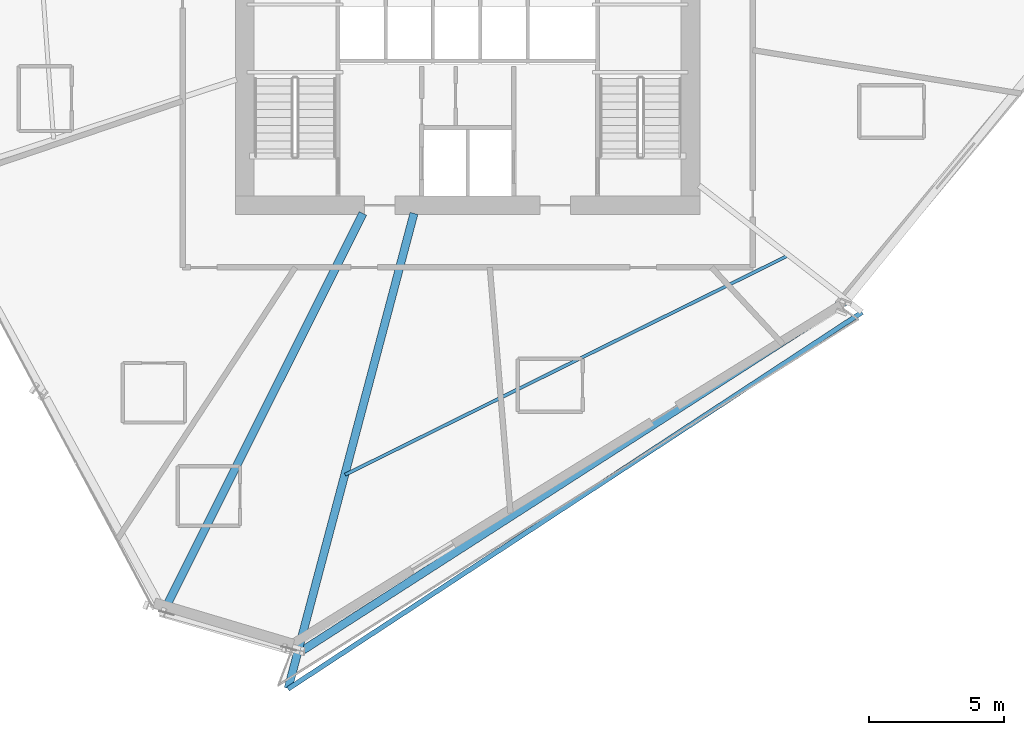
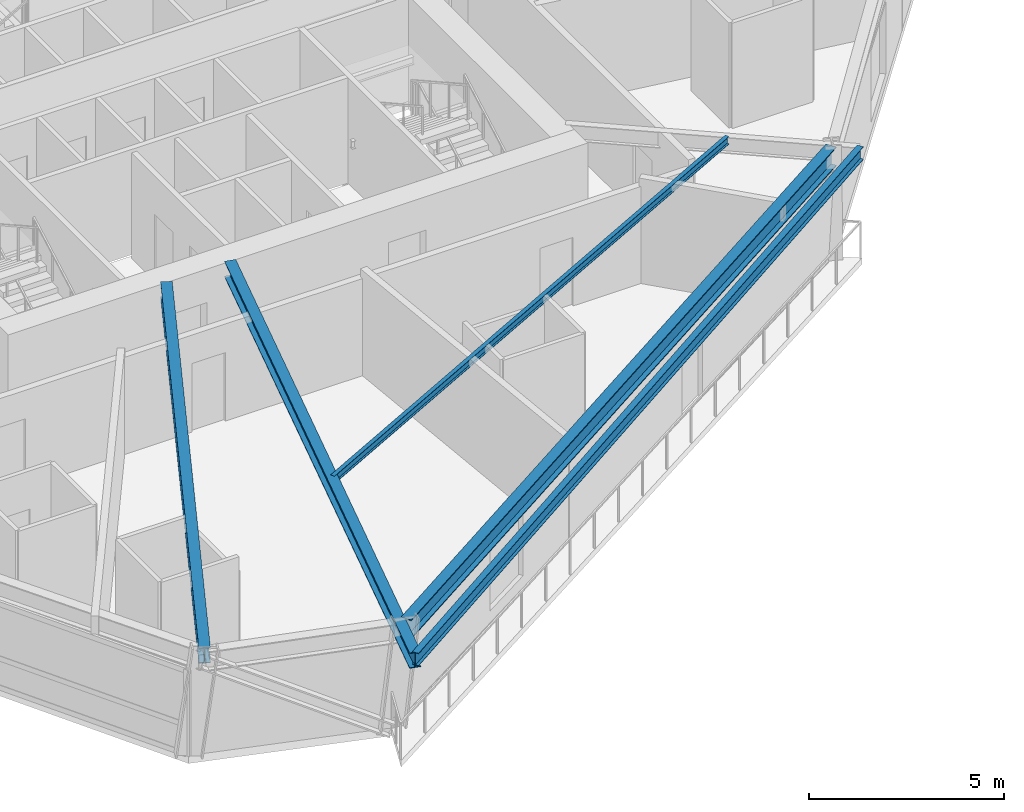
# One storey, part 4 of 21: 5 beams.
"""IFC4 building model written with IfcOpenShell, lengths in metres."""

from ifc_helpers import new_model, si_unit, direction, frame, origin, origin_2d, place, context, subcontext, project, spatial, i_section, extrude, source, transform, mapped, material, material_profile, profile_set, type_object, element, save


model = new_model("IFC4")

# Units and contexts
model_context = context("Model", 3, precision=1e-05, world=origin(), true_north=direction((0.0, 1.0)))
body_context = subcontext(model_context, "Body", "Model", "MODEL_VIEW")
ifc_project = project(units=[si_unit("LENGTHUNIT", "METRE"), si_unit("AREAUNIT", "SQUARE_METRE"), si_unit("VOLUMEUNIT", "CUBIC_METRE"), si_unit("PLANEANGLEUNIT", "RADIAN"), si_unit("MASSUNIT", "GRAM", prefix="KILO")], contexts=[model_context])

# Site, building, storey
site_placement = place(None, origin())
site = spatial("IfcSite", under=ifc_project, at=site_placement, CompositionType="ELEMENT")
building_placement = place(site_placement, origin())
building = spatial("IfcBuilding", under=site, at=building_placement, Name="Olszyna Solenne Hotel", CompositionType="ELEMENT")
storey_placement = place(building_placement, frame((0.0, 0.0, 105.699951171875)))
storey = spatial("IfcBuildingStorey", under=building, at=storey_placement, Name="L27", CompositionType="ELEMENT", Elevation=105.699951171875)

# Beams
ifc_material = material(Name="Steel S355J2", Category="steel")
ifc_material_profile_1 = material_profile(ifc_material, i_section(OverallWidth=0.300048828125, OverallDepth=0.60009765625, WebThickness=0.015380859375, FlangeThickness=0.030029296875, at=origin_2d()), Name="HEB 600", Category="load-bearing")
ifc_profile_set_1 = profile_set([ifc_material_profile_1], Name="Steel S355J2")
beam_type_1 = type_object("IfcBeamType", Name="BM-S2", PredefinedType="BEAM", material=ifc_profile_set_1)
shared_shape_1 = source(origin(), body_context, "Body", "SweptSolid", [
    extrude(i_section(OverallWidth=0.300048828125, OverallDepth=0.60009765625, WebThickness=0.015380859375, FlangeThickness=0.030029296875, at=origin_2d()), origin(), (0.0, 0.0, 1.0), 23.83251953125),
])
beam_1_placement = place(storey_placement, frame((31.9072265625, 2.6884765625, 3.0), z_axis=(0.841104244668, 0.540873043885, 0.0), x_axis=(-0.540873043885, 0.841104244668, 0.0)))
element("IfcBeam", 1, at=beam_1_placement, inside=storey, type_object=beam_type_1, Name="Perimeter spandrel beam BM-S2 B-L27-0819", PredefinedType="BEAM", context=body_context, shape_type="MappedRepresentation", body=[
    mapped(shared_shape_1, transform((0.0, 0.0, 0.0), x_axis=(1.0, 0.0, 0.0), y_axis=(0.0, 1.0, 0.0), z_axis=(0.0, 0.0, 1.0), scale=1.0)),
])
ifc_material_profile_2 = material_profile(ifc_material, i_section(OverallWidth=0.300048828125, OverallDepth=0.489990234375, WebThickness=0.011962890625, FlangeThickness=0.02294921875, at=origin_2d()), Name="HEA 500", Category="load-bearing")
ifc_profile_set_2 = profile_set([ifc_material_profile_2], Name="Steel S355J2")
beam_type_2 = type_object("IfcBeamType", Name="BM-G1", PredefinedType="BEAM", material=ifc_profile_set_2)
shared_shape_2 = source(origin(), body_context, "Body", "SweptSolid", [
    extrude(i_section(OverallWidth=0.300048828125, OverallDepth=0.489990234375, WebThickness=0.011962890625, FlangeThickness=0.02294921875, at=origin_2d()), origin(), (0.0, 0.0, 1.0), 16.433837890625),
])
beam_2_placement = place(storey_placement, frame((26.767822265625, 4.1474609375, 3.054931640625), z_axis=(0.447403742383, 0.894332092291, 0.0), x_axis=(-0.894332092291, 0.447403742383, 0.0)))
element("IfcBeam", 2, at=beam_2_placement, inside=storey, type_object=beam_type_2, Name="Radial floor girder BM-G1 B-L27-0828", PredefinedType="BEAM", context=body_context, shape_type="MappedRepresentation", body=[
    mapped(shared_shape_2, transform((0.0, 0.0, 0.0), x_axis=(1.0, 0.0, 0.0), y_axis=(0.0, 1.0, 0.0), z_axis=(0.0, 0.0, 1.0), scale=1.0)),
])
shared_shape_3 = source(origin(), body_context, "Body", "SweptSolid", [
    extrude(i_section(OverallWidth=0.300048828125, OverallDepth=0.489990234375, WebThickness=0.011962890625, FlangeThickness=0.02294921875, at=origin_2d()), origin(), (0.0, 0.0, 1.0), 18.183837890625),
])
beam_3_placement = place(storey_placement, frame((31.35498046875, 1.270751953125, 3.054931640625), z_axis=(0.256064524533, 0.966659691554, 0.0), x_axis=(-0.966659691554, 0.256064524533, 0.0)))
element("IfcBeam", 3, at=beam_3_placement, inside=storey, type_object=beam_type_2, Name="Radial floor girder BM-G1 B-L27-0829", PredefinedType="BEAM", context=body_context, shape_type="MappedRepresentation", body=[
    mapped(shared_shape_3, transform((0.0, 0.0, 0.0), x_axis=(1.0, 0.0, 0.0), y_axis=(0.0, 1.0, 0.0), z_axis=(0.0, 0.0, 1.0), scale=1.0)),
])
ifc_material_profile_3 = material_profile(ifc_material, i_section(OverallWidth=0.1201171875, OverallDepth=0.239990234375, WebThickness=0.006103515625, FlangeThickness=0.009765625, at=origin_2d()), Name="IPE 240", Category="load-bearing")
ifc_profile_set_3 = profile_set([ifc_material_profile_3], Name="Steel S355J2")
beam_type_3 = type_object("IfcBeamType", Name="JS-03", PredefinedType="JOIST", material=ifc_profile_set_3)
shared_shape_4 = source(origin(), body_context, "Body", "SweptSolid", [
    extrude(i_section(OverallWidth=0.1201171875, OverallDepth=0.239990234375, WebThickness=0.006103515625, FlangeThickness=0.009765625, at=origin_2d()), origin(), (0.0, 0.0, 1.0), 18.294189453125),
])
beam_4_placement = place(storey_placement, frame((33.46533203125, 9.178955078125, 3.179931640625), z_axis=(0.896258614528, 0.443531843146, 0.0), x_axis=(-0.443531843146, 0.896258614528, 0.0)))
element("IfcBeam", 4, at=beam_4_placement, inside=storey, type_object=beam_type_3, Name="Secondary composite floor joist JS-03 B-L27-0835", PredefinedType="JOIST", context=body_context, shape_type="MappedRepresentation", body=[
    mapped(shared_shape_4, transform((0.0, 0.0, 0.0), x_axis=(1.0, 0.0, 0.0), y_axis=(0.0, 1.0, 0.0), z_axis=(0.0, 0.0, 1.0), scale=1.0)),
])
ifc_material_profile_4 = material_profile(ifc_material, i_section(OverallWidth=0.179931640625, OverallDepth=0.39990234375, WebThickness=0.008544921875, FlangeThickness=0.013427734375, at=origin_2d()), Name="IPE 400", Category="load-bearing")
ifc_profile_set_4 = profile_set([ifc_material_profile_4], Name="Steel S355J2")
beam_type_4 = type_object("IfcBeamType", Name="BM-F5", PredefinedType="BEAM", material=ifc_profile_set_4)
shared_shape_5 = source(origin(), body_context, "Body", "SweptSolid", [
    extrude(i_section(OverallWidth=0.179931640625, OverallDepth=0.39990234375, WebThickness=0.008544921875, FlangeThickness=0.013427734375, at=origin_2d()), origin(), (0.0, 0.0, 1.0), 25.409423828125),
])
beam_5_placement = place(storey_placement, frame((31.349853515625, 1.25146484375, 3.10009765625), z_axis=(0.836101759013, 0.548574378344, 0.0), x_axis=(-0.548574378344, 0.836101759013, 0.0)))
element("IfcBeam", 5, at=beam_5_placement, inside=storey, type_object=beam_type_4, Name="Loggia outer edge beam BM-F5 B-L27-0838", PredefinedType="BEAM", context=body_context, shape_type="MappedRepresentation", body=[
    mapped(shared_shape_5, transform((0.0, 0.0, 0.0), x_axis=(1.0, 0.0, 0.0), y_axis=(0.0, 1.0, 0.0), z_axis=(0.0, 0.0, 1.0), scale=1.0)),
])

save(model, "model.ifc")
